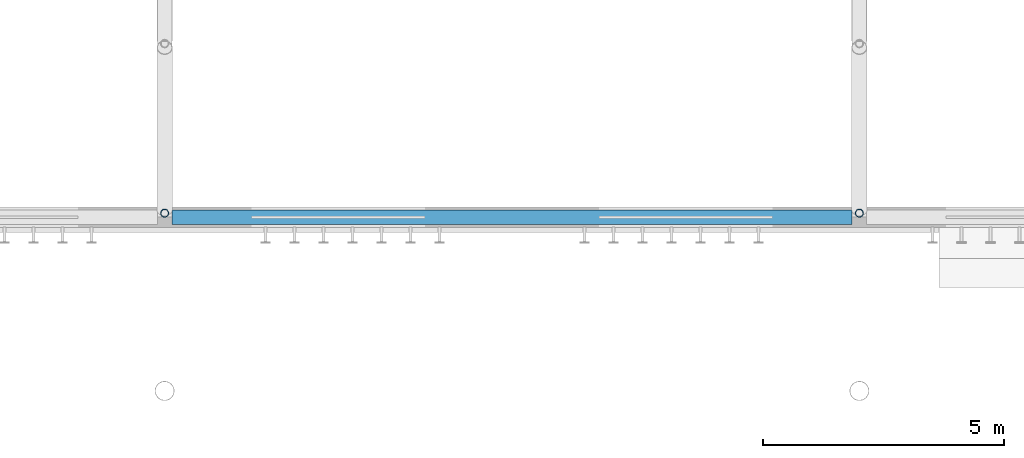
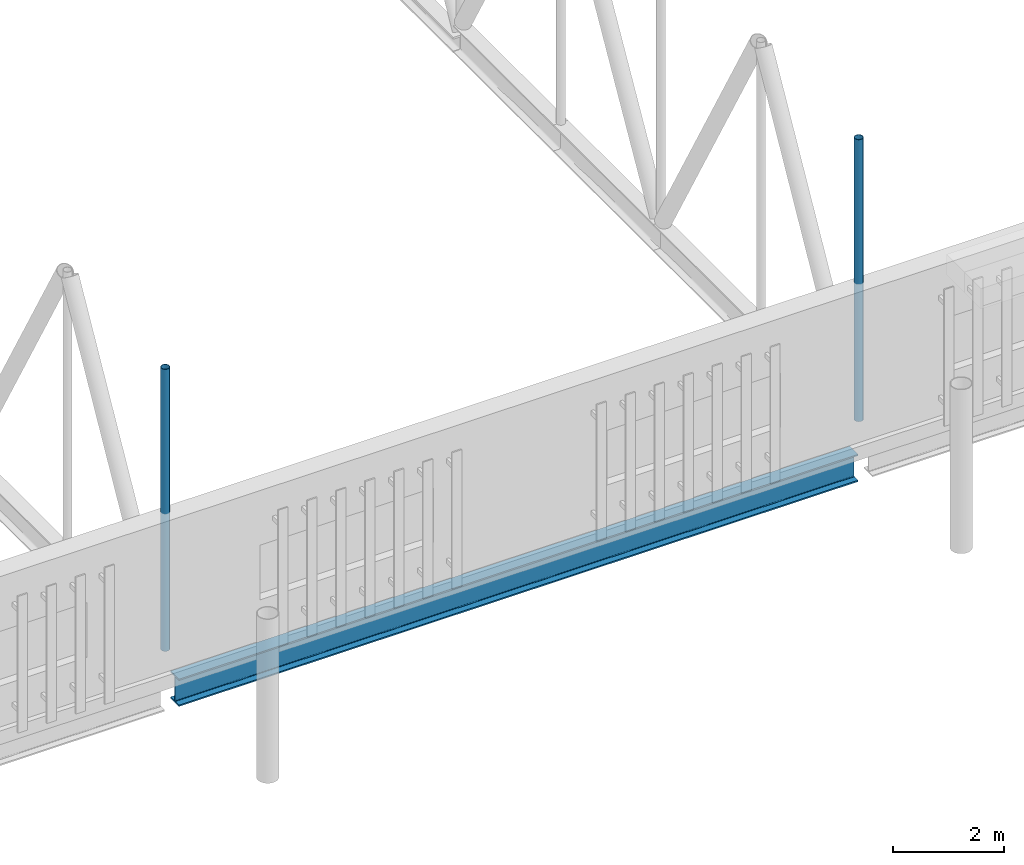
# One storey, part 52 of 142: 2 members, 1 beam.
"""IFC4 building model written with IfcOpenShell, lengths in metres."""

from ifc_helpers import new_model, si_unit, direction, frame, origin, origin_2d, place, context, subcontext, project, spatial, hollow_circle, i_section, extrude, material, material_profile, profile_set, type_object, element, save


model = new_model("IFC4")

# Units and contexts
model_context = context("Model", 3, precision=1e-05, world=origin(), true_north=direction((0.0, 1.0)))
body_context = subcontext(model_context, "Body", "Model", "MODEL_VIEW")
ifc_project = project(units=[si_unit("LENGTHUNIT", "METRE"), si_unit("AREAUNIT", "SQUARE_METRE"), si_unit("VOLUMEUNIT", "CUBIC_METRE"), si_unit("PLANEANGLEUNIT", "RADIAN"), si_unit("MASSUNIT", "GRAM", prefix="KILO")], contexts=[model_context])

# Site, building, storey
site_placement = place(None, origin())
site = spatial("IfcSite", under=ifc_project, at=site_placement, CompositionType="ELEMENT")
building_placement = place(site_placement, origin())
building = spatial("IfcBuilding", under=site, at=building_placement, Name="Kupolbacken Congress Centre", CompositionType="ELEMENT")
storey_placement = place(building_placement, frame((0.0, 0.0, 14.39990234375)))
storey = spatial("IfcBuildingStorey", under=building, at=storey_placement, Name="L04", CompositionType="ELEMENT", Elevation=14.39990234375)

# Beam
ifc_material_1 = material(Name="Steel S355", Category="steel")
ifc_material_profile_1 = material_profile(ifc_material_1, i_section(OverallWidth=0.300048828125, OverallDepth=0.60009765625, WebThickness=0.015380859375, FlangeThickness=0.030029296875, FilletRadius=0.027099609375, at=origin_2d()), Name="HEB 600")
ifc_profile_set_1 = profile_set([ifc_material_profile_1], Name="Steel S355")
beam_type = type_object("IfcBeamType", Name="B15 beam HEB 600", PredefinedType="BEAM", material=ifc_profile_set_1)
beam_placement = place(storey_placement, frame((136.949951171875, 43.199951171875, -0.2998046875), z_axis=(1.0, 0.0, 0.0), x_axis=(0.0, 1.0, 0.0)))
element("IfcBeam", 1, at=beam_placement, inside=storey, type_object=beam_type, Name="Edge girder", PredefinedType="BEAM", context=body_context, shape_type="SweptSolid", body=[
    extrude(i_section(OverallWidth=0.300048828125, OverallDepth=0.60009765625, WebThickness=0.015380859375, FlangeThickness=0.030029296875, FilletRadius=0.027099609375, at=origin_2d()), origin(), (0.0, 0.0, 1.0), 14.10009765625),
])

# Members
ifc_material_2 = material(Name="Steel S355", Category="steel")
ifc_material_profile_2 = material_profile(ifc_material_2, hollow_circle(Radius=0.084228515625, WallThickness=0.008056640625, at=origin_2d()), Name="CHS 168.3 x 8")
ifc_profile_set_2 = profile_set([ifc_material_profile_2], Name="Steel S355")
member_type = type_object("IfcMemberType", Name="M20 transfer truss post CHS 168.3 x 8", PredefinedType="STRUT", material=ifc_profile_set_2)
for number, where, z_axis, x_axis, name in (
    (2, (136.800048828125, 43.2841796875, 0.580078125), (0.0, 0.0, 1.0), (0.0, 1.0, 0.0), "HT/T4/P00"),
    (3, (151.199951171875, 43.2841796875, 0.580078125), (0.0, 0.0, 1.0), (0.0, 1.0, 0.0), "HT/T5/P00"),
):
    element("IfcMember", number, at=place(storey_placement, frame(where, z_axis=z_axis, x_axis=x_axis)), inside=storey, type_object=member_type, Name=name, PredefinedType="STRUT", context=body_context, shape_type="SweptSolid", body=[
        extrude(hollow_circle(Radius=0.084228515625, WallThickness=0.008056640625, at=origin_2d()), origin(), (0.0, 0.0, 1.0), 6.18994140625),
    ])

save(model, "model.ifc")
